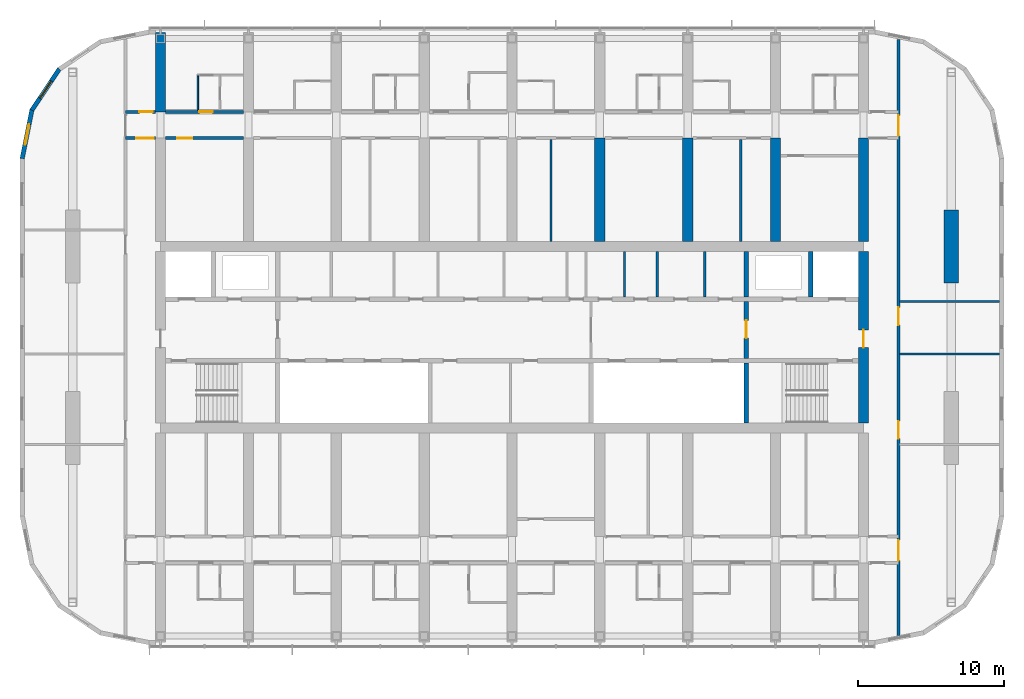
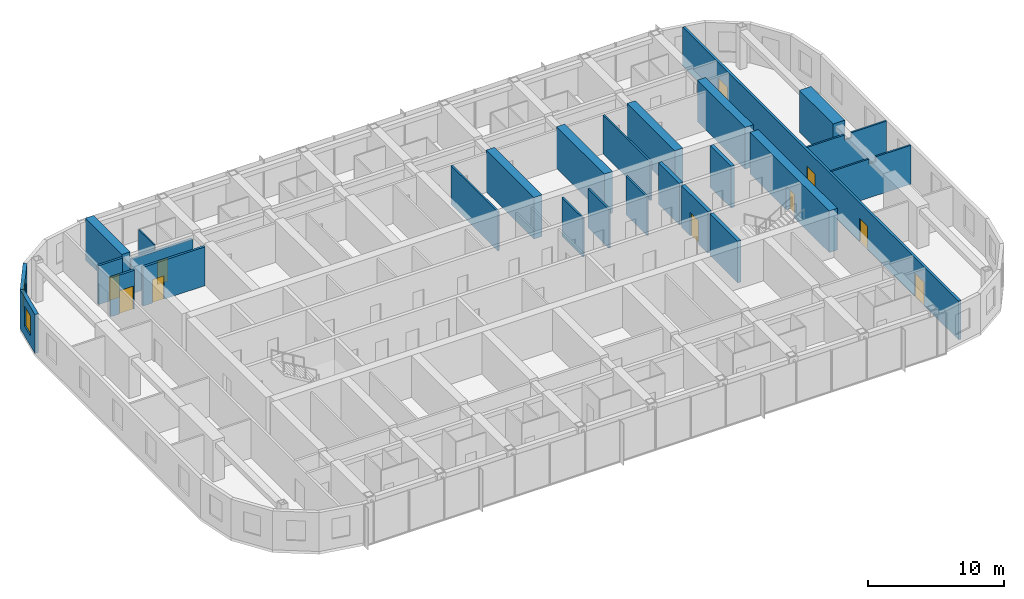
# One storey, part 15 of 23: 26 walls, 10 doors, 2 windows, 12 openings.
"""IFC4 building model written with IfcOpenShell, lengths in metres."""

from ifc_helpers import new_model, si_unit, direction, frame, frame_2d, origin, place, context, subcontext, project, spatial, polyline, rectangle, outline, extrude, material, layer, layer_set, type_object, element, fill, save


model = new_model("IFC4")

# Units and contexts
model_context = context("Model", 3, precision=1e-05, world=origin(), true_north=direction((0.0, 1.0)))
body_context = subcontext(model_context, "Body", "Model", "MODEL_VIEW")
ifc_project = project(units=[si_unit("LENGTHUNIT", "METRE"), si_unit("AREAUNIT", "SQUARE_METRE"), si_unit("VOLUMEUNIT", "CUBIC_METRE"), si_unit("PLANEANGLEUNIT", "RADIAN"), si_unit("MASSUNIT", "GRAM", prefix="KILO")], contexts=[model_context])

# Site, building, storey
site_placement = place(None, origin())
site = spatial("IfcSite", under=ifc_project, at=site_placement, CompositionType="ELEMENT")
building_placement = place(site_placement, origin())
building = spatial("IfcBuilding", under=site, at=building_placement, Name="Orbita Commons", CompositionType="ELEMENT")
storey_placement = place(building_placement, frame((0.0, 0.0, 224.050048828125)))
storey = spatial("IfcBuildingStorey", under=building, at=storey_placement, Name="L55", CompositionType="ELEMENT", Elevation=224.050048828125)

# Wall
ifc_material_1 = material(Name="Concrete C50/60", Category="concrete")
ifc_layer_1 = layer(ifc_material_1, 0.300048828125)
ifc_layer_set_1 = layer_set([ifc_layer_1], Name="Concrete C50/60")
wall_type_1 = type_object("IfcWallType", Name="Core inner wall 300 C50/60", PredefinedType="SHEAR", material=ifc_layer_set_1)
wall_1_placement = place(storey_placement, frame((58.0, 26.14990234375, 0.0), z_axis=(0.0, 0.0, 1.0), x_axis=(0.0, 1.0, 0.0)))
element("IfcWall", 1, at=wall_1_placement, inside=storey, type_object=wall_type_1, Name="Stair S2 wall L55", PredefinedType="SHEAR", context=body_context, shape_type="SweptSolid", body=[
    extrude(rectangle(XDim=4.10009765625, YDim=0.300048828125, at=frame_2d((2.050048828125, 0.0))), origin(), (0.0, 0.0, 1.0), 3.75),
])

# Wall, opening, door
wall_2_placement = place(storey_placement, frame((58.0, 30.550048828125, 0.0), z_axis=(0.0, 0.0, 1.0), x_axis=(0.0, 1.0, 0.0)))
wall_2 = element("IfcWall", 2, at=wall_2_placement, inside=storey, type_object=wall_type_1, Name="Firefighting lobby wall east L55", PredefinedType="SHEAR", context=body_context, shape_type="SweptSolid", body=[
    extrude(rectangle(XDim=3.89990234375, YDim=0.300048828125, at=frame_2d((1.949951171875, 0.0))), origin(), (0.0, 0.0, 1.0), 3.75),
])
opening_1_placement = place(wall_2_placement, frame((1.39990234375, 0.0, 0.0)))
opening_1 = element("IfcOpeningElement", 3, at=opening_1_placement, cuts=wall_2, Name="Opening D04", PredefinedType="OPENING", context=body_context, shape_type="SweptSolid", body=[
    extrude(rectangle(XDim=1.199951171875, YDim=2.10009765625, at=frame_2d((0.60009765625, 1.050048828125))), frame((0.0, 0.159912109375, 0.0), z_axis=(0.0, -1.0, 0.0), x_axis=(1.0, 0.0, 0.0)), (0.0, 0.0, 1.0), 0.320068359375),
])
ifc_material_2 = material(Name="Steel-faced fire door leaf", Category="steel")
door_type_1 = type_object("IfcDoorType", Name="Service door 20 min 1200x2100", OperationType="SINGLE_SWING_LEFT", PredefinedType="DOOR", material=ifc_material_2)
door_1_placement = place(opening_1_placement, origin())
door_1 = element("IfcDoor", 4, at=door_1_placement, inside=storey, type_object=door_type_1, Name="Lift lobby door east", OperationType="SINGLE_SWING_LEFT", OverallHeight=2.10009765625, OverallWidth=1.199951171875, PredefinedType="DOOR", context=body_context, shape_type="SweptSolid", body=[
    extrude(rectangle(XDim=1.199951171875, YDim=2.10009765625, at=frame_2d((0.60009765625, 1.050048828125))), frame((0.0, 0.02490234375, 0.0), z_axis=(0.0, -1.0, 0.0), x_axis=(1.0, 0.0, 0.0)), (0.0, 0.0, 1.0), 0.050048828125),
])
fill(opening_1, door_1)

# Walls
for number, where, z_axis, x_axis, name in (
    (5, (62.39990234375, 34.75, 0.0), (0.0, 0.0, 1.0), (0.0, 1.0, 0.0), "Firefighting lift FL2 shaft wall L55"),
    (6, (58.0, 34.75, 0.0), (0.0, 0.0, 1.0), (0.0, 1.0, 0.0), "Riser wall east L55"),
):
    element("IfcWall", number, at=place(storey_placement, frame(where, z_axis=z_axis, x_axis=x_axis)), inside=storey, type_object=wall_type_1, Name=name, PredefinedType="SHEAR", context=body_context, shape_type="SweptSolid", body=[
        extrude(rectangle(XDim=3.10009765625, YDim=0.300048828125, at=frame_2d((1.550048828125, 0.0))), origin(), (0.0, 0.0, 1.0), 3.75),
    ])
ifc_material_3 = material(Name="Concrete blockwork", Category="masonry")
ifc_layer_2 = layer(ifc_material_3, 0.14990234375)
ifc_layer_set_2 = layer_set([ifc_layer_2], Name="Concrete blockwork")
wall_type_2 = type_object("IfcWallType", Name="Core partition 150 blockwork", PredefinedType="SOLIDWALL", material=ifc_layer_set_2)
for number, where, z_axis, x_axis, name in (
    (7, (49.6923828125, 34.75, 0.0), (0.0, 0.0, 1.0), (0.0, 1.0, 0.0), "Core partition 150 blockwork L55"),
    (8, (51.92138671875, 34.75, 0.0), (0.0, 0.0, 1.0), (0.0, 1.0, 0.0), "Core partition 150 blockwork L55"),
    (9, (55.163330078125, 34.75, 0.0), (0.0, 0.0, 1.0), (0.0, 1.0, 0.0), "Core partition 150 blockwork L55"),
):
    element("IfcWall", number, at=place(storey_placement, frame(where, z_axis=z_axis, x_axis=x_axis)), inside=storey, type_object=wall_type_2, Name=name, PredefinedType="SOLIDWALL", context=body_context, shape_type="SweptSolid", body=[
        extrude(rectangle(XDim=3.10009765625, YDim=0.14990234375, at=frame_2d((1.550048828125, 0.0))), origin(), (0.0, 0.0, 1.0), 3.5),
    ])

# Wall, opening, door
ifc_material_4 = material(Name="Concrete C50/60", Category="concrete")
ifc_layer_3 = layer(ifc_material_4, 0.699951171875)
ifc_layer_set_3 = layer_set([ifc_layer_3], Name="Concrete C50/60")
wall_type_3 = type_object("IfcWallType", Name="Core wall 700 C50/60", PredefinedType="SHEAR", material=ifc_layer_set_3)
wall_3_placement = place(storey_placement, frame((66.0, 26.14990234375, 0.0), z_axis=(0.0, 0.0, 1.0), x_axis=(0.0, 1.0, 0.0)))
wall_3 = element("IfcWall", 10, at=wall_3_placement, inside=storey, type_object=wall_type_3, Name="Core end wall east L55", PredefinedType="SHEAR", context=body_context, shape_type="SweptSolid", body=[
    extrude(rectangle(XDim=11.7001953125, YDim=0.699951171875, at=frame_2d((5.85009765625, 0.0))), origin(), (0.0, 0.0, 1.0), 3.75),
])
opening_2_placement = place(wall_3_placement, frame((5.14990234375, 0.0, 0.0)))
opening_2 = element("IfcOpeningElement", 11, at=opening_2_placement, cuts=wall_3, Name="Opening D01", PredefinedType="OPENING", context=body_context, shape_type="SweptSolid", body=[
    extrude(rectangle(XDim=1.199951171875, YDim=2.10009765625, at=frame_2d((0.60009765625, 1.050048828125))), frame((0.0, 0.35986328125, 0.0), z_axis=(0.0, -1.0, 0.0), x_axis=(1.0, 0.0, 0.0)), (0.0, 0.0, 1.0), 0.719970703125),
])
ifc_material_5 = material(Name="Steel-faced fire door leaf", Category="steel")
door_type_2 = type_object("IfcDoorType", Name="Fire door 90 min 1200x2100", OperationType="SINGLE_SWING_LEFT", PredefinedType="DOOR", material=ifc_material_5)
door_2_placement = place(opening_2_placement, origin())
door_2 = element("IfcDoor", 12, at=door_2_placement, inside=storey, type_object=door_type_2, Name="Firefighting lobby east door", OperationType="SINGLE_SWING_LEFT", OverallHeight=2.10009765625, OverallWidth=1.199951171875, PredefinedType="DOOR", context=body_context, shape_type="SweptSolid", body=[
    extrude(rectangle(XDim=1.199951171875, YDim=2.10009765625, at=frame_2d((0.60009765625, 1.050048828125))), frame((0.0, 0.02490234375, 0.0), z_axis=(0.0, -1.0, 0.0), x_axis=(1.0, 0.0, 0.0)), (0.0, 0.0, 1.0), 0.050048828125),
])
fill(opening_2, door_2)

ifc_material_6 = material(Name="Concrete blockwork", Category="masonry")
ifc_layer_4 = layer(ifc_material_6, 0.199951171875)
ifc_layer_set_4 = layer_set([ifc_layer_4], Name="Concrete blockwork")
wall_type_4 = type_object("IfcWallType", Name="Corridor wall 200 blockwork", PredefinedType="SOLIDWALL", material=ifc_layer_set_4)
wall_4_placement = place(storey_placement, frame((15.60009765625, 47.39990234375, 0.0), z_axis=(0.0, 0.0, 1.0), x_axis=(1.0, 0.0, 0.0)))
wall_4 = element("IfcWall", 13, at=wall_4_placement, inside=storey, type_object=wall_type_4, Name="Corridor wall 200 blockwork L55", PredefinedType="SOLIDWALL", context=body_context, shape_type="SweptSolid", body=[
    extrude(rectangle(XDim=2.0498046875, YDim=0.199951171875, at=frame_2d((1.02490234375, 0.0))), origin(), (0.0, 0.0, 1.0), 3.5),
])
opening_3_placement = place(wall_4_placement, frame((0.949951171875, 0.0, 0.0)))
opening_3 = element("IfcOpeningElement", 14, at=opening_3_placement, cuts=wall_4, Name="Opening D05", PredefinedType="OPENING", context=body_context, shape_type="SweptSolid", body=[
    extrude(rectangle(XDim=0.89990234375, YDim=2.10009765625, at=frame_2d((0.449951171875, 1.050048828125))), frame((0.0, 0.10986328125, 0.0), z_axis=(0.0, -1.0, 0.0), x_axis=(1.0, 0.0, 0.0)), (0.0, 0.0, 1.0), 0.219970703125),
])
ifc_material_7 = material(Name="Steel-faced fire door leaf", Category="steel")
door_type_3 = type_object("IfcDoorType", Name="Service door 20 min 900x2100", OperationType="SINGLE_SWING_LEFT", PredefinedType="DOOR", material=ifc_material_7)
door_3_placement = place(opening_3_placement, origin())
door_3 = element("IfcDoor", 15, at=door_3_placement, inside=storey, type_object=door_type_3, Name="Linen store L55-KWN door", OperationType="SINGLE_SWING_LEFT", OverallHeight=2.10009765625, OverallWidth=0.89990234375, PredefinedType="DOOR", context=body_context, shape_type="SweptSolid", body=[
    extrude(rectangle(XDim=0.89990234375, YDim=2.10009765625, at=frame_2d((0.449951171875, 1.050048828125))), frame((0.0, 0.02490234375, 0.0), z_axis=(0.0, -1.0, 0.0), x_axis=(1.0, 0.0, 0.0)), (0.0, 0.0, 1.0), 0.050048828125),
])
fill(opening_3, door_3)

wall_5_placement = place(storey_placement, frame((18.35009765625, 47.39990234375, 0.0), z_axis=(0.0, 0.0, 1.0), x_axis=(1.0, 0.0, 0.0)))
wall_5 = element("IfcWall", 16, at=wall_5_placement, inside=storey, type_object=wall_type_4, Name="Corridor wall 200 blockwork L55", PredefinedType="SOLIDWALL", context=body_context, shape_type="SweptSolid", body=[
    extrude(outline(polyline([(0.0, 0.0), (5.2998046875, 0.0), (5.300048828125, 3.099853515625), (0.0, 3.099853515625), (0.0, 0.0)])), frame((0.0, 0.10009765625, 0.0), z_axis=(0.0, -1.0, 0.0), x_axis=(1.0, 0.0, 0.0)), (0.0, 0.0, 1.0), 0.199951171875),
])
opening_4_placement = place(wall_5_placement, frame((2.300048828125, 0.0, 0.0)))
opening_4 = element("IfcOpeningElement", 17, at=opening_4_placement, cuts=wall_5, Name="Opening D11", PredefinedType="OPENING", context=body_context, shape_type="SweptSolid", body=[
    extrude(rectangle(XDim=0.89990234375, YDim=2.10009765625, at=frame_2d((0.449951171875, 1.050048828125))), frame((0.0, 0.10986328125, 0.0), z_axis=(0.0, -1.0, 0.0), x_axis=(1.0, 0.0, 0.0)), (0.0, 0.0, 1.0), 0.219970703125),
])
ifc_material_8 = material(Name="Steel-faced fire door leaf", Category="steel")
door_type_4 = type_object("IfcDoorType", Name="Corridor door 20 min 900x2100", OperationType="SINGLE_SWING_LEFT", PredefinedType="DOOR", material=ifc_material_8)
door_4_placement = place(opening_4_placement, origin())
door_4 = element("IfcDoor", 18, at=door_4_placement, inside=storey, type_object=door_type_4, Name="Studio flat L55-N00 entrance door", OperationType="SINGLE_SWING_LEFT", OverallHeight=2.10009765625, OverallWidth=0.89990234375, PredefinedType="DOOR", context=body_context, shape_type="SweptSolid", body=[
    extrude(rectangle(XDim=0.89990234375, YDim=2.10009765625, at=frame_2d((0.449951171875, 1.050048828125))), frame((0.0, 0.02490234375, 0.0), z_axis=(0.0, -1.0, 0.0), x_axis=(1.0, 0.0, 0.0)), (0.0, 0.0, 1.0), 0.050048828125),
])
fill(opening_4, door_4)

# Wall, openings, doors
wall_6_placement = place(storey_placement, frame((68.39990234375, 11.646240234375, 0.0), z_axis=(0.0, 0.0, 1.0), x_axis=(0.0, 1.0, 0.0)))
wall_6 = element("IfcWall", 19, at=wall_6_placement, inside=storey, type_object=wall_type_4, Name="Corridor wall 200 blockwork L55", PredefinedType="SOLIDWALL", context=body_context, shape_type="SweptSolid", body=[
    extrude(rectangle(XDim=40.70751953125, YDim=0.199951171875, at=frame_2d((20.353759765625, 0.0))), origin(), (0.0, 0.0, 1.0), 3.5),
])
opening_5_placement = place(wall_6_placement, frame((13.433837890625, 0.0, 0.0)))
opening_5 = element("IfcOpeningElement", 20, at=opening_5_placement, cuts=wall_6, Name="Opening D15", PredefinedType="OPENING", context=body_context, shape_type="SweptSolid", body=[
    extrude(rectangle(XDim=1.199951171875, YDim=2.10009765625, at=frame_2d((0.60009765625, 1.050048828125))), frame((0.0, 0.10986328125, 0.0), z_axis=(0.0, -1.0, 0.0), x_axis=(1.0, 0.0, 0.0)), (0.0, 0.0, 1.0), 0.219970703125),
])
opening_6_placement = place(wall_6_placement, frame((21.19384765625, 0.0, 0.0)))
opening_6 = element("IfcOpeningElement", 21, at=opening_6_placement, cuts=wall_6, Name="Opening D15", PredefinedType="OPENING", context=body_context, shape_type="SweptSolid", body=[
    extrude(rectangle(XDim=1.199951171875, YDim=2.10009765625, at=frame_2d((0.60009765625, 1.050048828125))), frame((0.0, 0.10986328125, 0.0), z_axis=(0.0, -1.0, 0.0), x_axis=(1.0, 0.0, 0.0)), (0.0, 0.0, 1.0), 0.219970703125),
])
opening_7_placement = place(wall_6_placement, frame((5.103759765625, 0.0, 0.0)))
opening_7 = element("IfcOpeningElement", 22, at=opening_7_placement, cuts=wall_6, Name="Opening D08", PredefinedType="OPENING", context=body_context, shape_type="SweptSolid", body=[
    extrude(rectangle(XDim=1.39990234375, YDim=2.10009765625, at=frame_2d((0.699951171875, 1.050048828125))), frame((0.0, 0.10986328125, 0.0), z_axis=(0.0, -1.0, 0.0), x_axis=(1.0, 0.0, 0.0)), (0.0, 0.0, 1.0), 0.219970703125),
])
opening_8_placement = place(wall_6_placement, frame((34.103759765625, 0.0, 0.0)))
opening_8 = element("IfcOpeningElement", 23, at=opening_8_placement, cuts=wall_6, Name="Opening D08", PredefinedType="OPENING", context=body_context, shape_type="SweptSolid", body=[
    extrude(rectangle(XDim=1.39990234375, YDim=2.10009765625, at=frame_2d((0.699951171875, 1.050048828125))), frame((0.0, 0.10986328125, 0.0), z_axis=(0.0, -1.0, 0.0), x_axis=(1.0, 0.0, 0.0)), (0.0, 0.0, 1.0), 0.219970703125),
])
ifc_material_9 = material(Name="Steel-faced fire door leaf", Category="steel")
door_type_5 = type_object("IfcDoorType", Name="Corridor door 20 min 1200x2100", OperationType="SINGLE_SWING_LEFT", PredefinedType="DOOR", material=ifc_material_9)
door_5_placement = place(opening_5_placement, origin())
door_5 = element("IfcDoor", 24, at=door_5_placement, inside=storey, type_object=door_type_5, Name="Floor kitchen door", OperationType="SINGLE_SWING_LEFT", OverallHeight=2.10009765625, OverallWidth=1.199951171875, PredefinedType="DOOR", context=body_context, shape_type="SweptSolid", body=[
    extrude(rectangle(XDim=1.199951171875, YDim=2.10009765625, at=frame_2d((0.60009765625, 1.050048828125))), frame((0.0, 0.02490234375, 0.0), z_axis=(0.0, -1.0, 0.0), x_axis=(1.0, 0.0, 0.0)), (0.0, 0.0, 1.0), 0.050048828125),
])
fill(opening_5, door_5)
door_6_placement = place(opening_6_placement, origin())
door_6 = element("IfcDoor", 25, at=door_6_placement, inside=storey, type_object=door_type_5, Name="Study commons door", OperationType="SINGLE_SWING_LEFT", OverallHeight=2.10009765625, OverallWidth=1.199951171875, PredefinedType="DOOR", context=body_context, shape_type="SweptSolid", body=[
    extrude(rectangle(XDim=1.199951171875, YDim=2.10009765625, at=frame_2d((0.60009765625, 1.050048828125))), frame((0.0, 0.02490234375, 0.0), z_axis=(0.0, -1.0, 0.0), x_axis=(1.0, 0.0, 0.0)), (0.0, 0.0, 1.0), 0.050048828125),
])
fill(opening_6, door_6)
ifc_material_10 = material(Name="Steel-faced fire door leaf", Category="steel")
door_type_6 = type_object("IfcDoorType", Name="Double corridor door 20 min 1400x2100", OperationType="DOUBLE_DOOR_SINGLE_SWING", PredefinedType="DOOR", material=ifc_material_10)
door_7_placement = place(opening_7_placement, origin())
door_7 = element("IfcDoor", 26, at=door_7_placement, inside=storey, type_object=door_type_6, Name="Lounge doors", OperationType="DOUBLE_DOOR_SINGLE_SWING", OverallHeight=2.10009765625, OverallWidth=1.39990234375, PredefinedType="DOOR", context=body_context, shape_type="SweptSolid", body=[
    extrude(rectangle(XDim=1.39990234375, YDim=2.10009765625, at=frame_2d((0.699951171875, 1.050048828125))), frame((0.0, 0.02490234375, 0.0), z_axis=(0.0, -1.0, 0.0), x_axis=(1.0, 0.0, 0.0)), (0.0, 0.0, 1.0), 0.050048828125),
])
fill(opening_7, door_7)
door_8_placement = place(opening_8_placement, origin())
door_8 = element("IfcDoor", 27, at=door_8_placement, inside=storey, type_object=door_type_6, Name="Lounge doors", OperationType="DOUBLE_DOOR_SINGLE_SWING", OverallHeight=2.10009765625, OverallWidth=1.39990234375, PredefinedType="DOOR", context=body_context, shape_type="SweptSolid", body=[
    extrude(rectangle(XDim=1.39990234375, YDim=2.10009765625, at=frame_2d((0.699951171875, 1.050048828125))), frame((0.0, 0.02490234375, 0.0), z_axis=(0.0, -1.0, 0.0), x_axis=(1.0, 0.0, 0.0)), (0.0, 0.0, 1.0), 0.050048828125),
])
fill(opening_8, door_8)

# Wall, opening, door
ifc_material_11 = material(Name="Hollow concrete block 200", Category="concrete")
ifc_layer_5 = layer(ifc_material_11, 0.199951171875)
ifc_layer_set_5 = layer_set([ifc_layer_5], Name="Hollow concrete block 200")
wall_type_5 = type_object("IfcWallType", Name="Corridor wall 200 hollow concrete block", PredefinedType="SOLIDWALL", material=ifc_layer_set_5)
wall_7_placement = place(storey_placement, frame((15.60009765625, 45.60009765625, 0.0), z_axis=(0.0, 0.0, 1.0), x_axis=(1.0, 0.0, 0.0)))
wall_7 = element("IfcWall", 28, at=wall_7_placement, inside=storey, type_object=wall_type_5, Name="Corridor wall 200 hollow concrete block L55", PredefinedType="SOLIDWALL", context=body_context, shape_type="SweptSolid", body=[
    extrude(rectangle(XDim=2.0498046875, YDim=0.199951171875, at=frame_2d((1.02490234375, 0.0))), origin(), (0.0, 0.0, 1.0), 3.5),
])
opening_9_placement = place(wall_7_placement, frame((0.75, 0.0, 0.0)))
opening_9 = element("IfcOpeningElement", 29, at=opening_9_placement, cuts=wall_7, Name="Opening D12", PredefinedType="OPENING", context=body_context, shape_type="SweptSolid", body=[
    extrude(rectangle(XDim=1.199951171875, YDim=2.10009765625, at=frame_2d((0.60009765625, 1.050048828125))), frame((0.0, 0.10986328125, 0.0), z_axis=(0.0, -1.0, 0.0), x_axis=(1.0, 0.0, 0.0)), (0.0, 0.0, 1.0), 0.219970703125),
])
ifc_material_12 = material(Name="Steel-faced fire door leaf", Category="steel")
door_type_7 = type_object("IfcDoorType", Name="Double corridor door 20 min 1200x2100", OperationType="DOUBLE_DOOR_SINGLE_SWING", PredefinedType="DOOR", material=ifc_material_12)
door_9_placement = place(opening_9_placement, origin())
door_9 = element("IfcDoor", 30, at=door_9_placement, inside=storey, type_object=door_type_7, Name="Cross corridor doors", OperationType="DOUBLE_DOOR_SINGLE_SWING", OverallHeight=2.10009765625, OverallWidth=1.199951171875, PredefinedType="DOOR", context=body_context, shape_type="SweptSolid", body=[
    extrude(rectangle(XDim=1.199951171875, YDim=2.10009765625, at=frame_2d((0.60009765625, 1.050048828125))), frame((0.0, 0.02490234375, 0.0), z_axis=(0.0, -1.0, 0.0), x_axis=(1.0, 0.0, 0.0)), (0.0, 0.0, 1.0), 0.050048828125),
])
fill(opening_9, door_9)

wall_8_placement = place(storey_placement, frame((18.35009765625, 45.60009765625, 0.0), z_axis=(0.0, 0.0, 1.0), x_axis=(1.0, 0.0, 0.0)))
wall_8 = element("IfcWall", 31, at=wall_8_placement, inside=storey, type_object=wall_type_5, Name="Corridor wall 200 hollow concrete block L55", PredefinedType="SOLIDWALL", context=body_context, shape_type="SweptSolid", body=[
    extrude(rectangle(XDim=5.2998046875, YDim=0.199951171875, at=frame_2d((2.64990234375, 0.0))), origin(), (0.0, 0.0, 1.0), 3.5),
])
opening_10_placement = place(wall_8_placement, frame((0.800048828125, 0.0, 0.0)))
opening_10 = element("IfcOpeningElement", 32, at=opening_10_placement, cuts=wall_8, Name="Opening D06", PredefinedType="OPENING", context=body_context, shape_type="SweptSolid", body=[
    extrude(rectangle(XDim=1.0, YDim=2.10009765625, at=frame_2d((0.5, 1.050048828125))), frame((0.0, 0.10986328125, 0.0), z_axis=(0.0, -1.0, 0.0), x_axis=(1.0, 0.0, 0.0)), (0.0, 0.0, 1.0), 0.219970703125),
])
ifc_material_13 = material(Name="Steel-faced fire door leaf", Category="steel")
door_type_8 = type_object("IfcDoorType", Name="Corridor door 20 min 1000x2100", OperationType="SINGLE_SWING_LEFT", PredefinedType="DOOR", material=ifc_material_13)
door_10_placement = place(opening_10_placement, origin())
door_10 = element("IfcDoor", 33, at=door_10_placement, inside=storey, type_object=door_type_8, Name="Faculty pantry L55-BDN18 door", OperationType="SINGLE_SWING_LEFT", OverallHeight=2.10009765625, OverallWidth=1.0, PredefinedType="DOOR", context=body_context, shape_type="SweptSolid", body=[
    extrude(rectangle(XDim=1.0, YDim=2.10009765625, at=frame_2d((0.5, 1.050048828125))), frame((0.0, 0.02490234375, 0.0), z_axis=(0.0, -1.0, 0.0), x_axis=(1.0, 0.0, 0.0)), (0.0, 0.0, 1.0), 0.050048828125),
])
fill(opening_10, door_10)

# Walls
ifc_material_14 = material(Name="Concrete C50/60", Category="concrete")
ifc_layer_6 = layer(ifc_material_14, 0.699951171875)
ifc_layer_set_6 = layer_set([ifc_layer_6], Name="Concrete C50/60")
wall_type_6 = type_object("IfcWallType", Name="Cross wall 700 C50/60", PredefinedType="SHEAR", material=ifc_layer_set_6)
wall_9_placement = place(storey_placement, frame((18.0, 47.39990234375, 0.0), z_axis=(0.0, 0.0, 1.0), x_axis=(0.0, 1.0, 0.0)))
element("IfcWall", 34, at=wall_9_placement, inside=storey, type_object=wall_type_6, Name="Cross wall 4 north outer L55", PredefinedType="SHEAR", context=body_context, shape_type="SweptSolid", body=[
    extrude(rectangle(XDim=5.400146484375, YDim=0.699951171875, at=frame_2d((2.7001953125, 0.0))), origin(), (0.0, 0.0, 1.0), 3.75),
])
for number, where, z_axis, x_axis, name in (
    (35, (48.0, 38.550048828125, 0.0), (0.0, 0.0, 1.0), (0.0, 1.0, 0.0), "Cross wall 9 north inner L55"),
    (36, (54.0, 38.550048828125, 0.0), (0.0, 0.0, 1.0), (0.0, 1.0, 0.0), "Cross wall 10 north inner L55"),
    (37, (60.0, 38.550048828125, 0.0), (0.0, 0.0, 1.0), (0.0, 1.0, 0.0), "Cross wall 11 north inner L55"),
    (38, (66.0, 38.550048828125, 0.0), (0.0, 0.0, 1.0), (0.0, 1.0, 0.0), "Cross wall 12 north inner L55"),
):
    element("IfcWall", number, at=place(storey_placement, frame(where, z_axis=z_axis, x_axis=x_axis)), inside=storey, type_object=wall_type_6, Name=name, PredefinedType="SHEAR", context=body_context, shape_type="SweptSolid", body=[
        extrude(rectangle(XDim=7.050048828125, YDim=0.699951171875, at=frame_2d((3.52490234375, 0.0))), origin(), (0.0, 0.0, 1.0), 3.75),
    ])
ifc_material_15 = material(Name="Moisture-resistant plasterboard on steel studs", Category="steel")
ifc_layer_7 = layer(ifc_material_15, 0.10009765625)
ifc_layer_set_7 = layer_set([ifc_layer_7], Name="Moisture-resistant plasterboard on steel studs")
wall_type_7 = type_object("IfcWallType", Name="En-suite partition 100", PredefinedType="PARTITIONING", material=ifc_layer_set_7)
wall_10_placement = place(storey_placement, frame((20.550048828125, 49.85009765625, 0.0), z_axis=(0.0, 0.0, 1.0), x_axis=(0.0, -1.0, 0.0)))
element("IfcWall", 39, at=wall_10_placement, inside=storey, type_object=wall_type_7, Name="En-suite partition 100 L55", PredefinedType="PARTITIONING", context=body_context, shape_type="SweptSolid", body=[
    extrude(outline(polyline([(0.0, 0.0), (2.35009765625, 0.0), (2.35009765625, 3.099853515625), (2.302001953125, 3.099853515625), (2.300048828125, 3.5), (0.0, 3.5), (0.0, 0.0)])), frame((0.0, 0.050048828125, 0.0), z_axis=(0.0, -1.0, 0.0), x_axis=(1.0, 0.0, 0.0)), (0.0, 0.0, 1.0), 0.10009765625),
])
ifc_material_16 = material(Name="Concrete C50/60", Category="concrete")
ifc_layer_8 = layer(ifc_material_16, 1.0)
ifc_layer_set_8 = layer_set([ifc_layer_8], Name="Concrete C50/60")
wall_type_8 = type_object("IfcWallType", Name="End pier 1000x5000 C50/60", PredefinedType="SHEAR", material=ifc_layer_set_8)
wall_11_placement = place(storey_placement, frame((72.0, 35.699951171875, 0.0), z_axis=(0.0, 0.0, 1.0), x_axis=(0.0, 1.0, 0.0)))
element("IfcWall", 40, at=wall_11_placement, inside=storey, type_object=wall_type_8, Name="End pier 13/D L55", PredefinedType="SHEAR", context=body_context, shape_type="SweptSolid", body=[
    extrude(rectangle(XDim=5.0, YDim=1.0, at=frame_2d((2.5, 0.0))), origin(), (0.0, 0.0, 1.0), 3.75),
])
ifc_material_17 = material(Name="Gypsum plasterboard on steel studs", Category="steel")
ifc_layer_9 = layer(ifc_material_17, 0.14990234375)
ifc_layer_set_9 = layer_set([ifc_layer_9], Name="Gypsum plasterboard on steel studs")
wall_type_9 = type_object("IfcWallType", Name="Partition 150 plasterboard", PredefinedType="PARTITIONING", material=ifc_layer_set_9)
for number, where, z_axis, x_axis, name in (
    (41, (44.659912109375, 38.550048828125, 0.0), (0.0, 0.0, 1.0), (0.0, 1.0, 0.0), "Partition 150 plasterboard L55"),
    (42, (57.625, 38.550048828125, 0.0), (0.0, 0.0, 1.0), (0.0, 1.0, 0.0), "Partition 150 plasterboard L55"),
):
    element("IfcWall", number, at=place(storey_placement, frame(where, z_axis=z_axis, x_axis=x_axis)), inside=storey, type_object=wall_type_9, Name=name, PredefinedType="PARTITIONING", context=body_context, shape_type="SweptSolid", body=[
        extrude(rectangle(XDim=6.949951171875, YDim=0.14990234375, at=frame_2d((3.47509765625, 0.0))), origin(), (0.0, 0.0, 1.0), 3.5),
    ])
for number, where, z_axis, x_axis, name in (
    (43, (68.47509765625, 30.85009765625, 0.0), (0.0, 0.0, 1.0), (1.0, 0.0, 0.0), "Partition 150 plasterboard L55"),
    (44, (68.47509765625, 34.43994140625, 0.0), (0.0, 0.0, 1.0), (1.0, 0.0, 0.0), "Partition 150 plasterboard L55"),
):
    element("IfcWall", number, at=place(storey_placement, frame(where, z_axis=z_axis, x_axis=x_axis)), inside=storey, type_object=wall_type_9, Name=name, PredefinedType="PARTITIONING", context=body_context, shape_type="SweptSolid", body=[
        extrude(outline(polyline([(0.0, 0.0), (6.81982421875, 0.0), (6.820068359375, 3.5), (3.826904296875, 3.5), (3.824951171875, 3.050048828125), (3.22705078125, 3.050048828125), (3.22509765625, 3.5), (0.0, 3.5), (0.0, 0.0)])), frame((0.0, 0.074951171875, 0.0), z_axis=(0.0, -1.0, 0.0), x_axis=(1.0, 0.0, 0.0)), (0.0, 0.0, 1.0), 0.14990234375),
    ])

# Wall, opening, window
ifc_material_18 = material(Name="Precast concrete C40/50, white board-marked finish", Category="concrete")
ifc_layer_10 = layer(ifc_material_18, 0.300048828125)
ifc_layer_set_10 = layer_set([ifc_layer_10], Name="Precast concrete C40/50, white board-marked finish")
wall_type_10 = type_object("IfcWallType", Name="Precast concrete end shield 300", PredefinedType="SOLIDWALL", material=ifc_layer_set_10)
wall_12_placement = place(storey_placement, frame((11.08349609375, 50.31640625, 0.0), z_axis=(0.0, 0.0, 1.0), x_axis=(-0.555567969291, -0.831471124873, 0.0)))
wall_12 = element("IfcWall", 45, at=wall_12_placement, inside=storey, type_object=wall_type_10, Name="End shield NW chord 3 L55", PredefinedType="SOLIDWALL", context=body_context, shape_type="SweptSolid", body=[
    extrude(outline(polyline([(-0.02978515625, -0.14990234375), (3.40478515625, -0.14990234375), (3.34521484375, 0.14990234375), (0.02978515625, 0.14990234375), (-0.02978515625, -0.14990234375)])), origin(), (0.0, 0.0, 1.0), 3.5),
])
opening_11_placement = place(wall_12_placement, frame((0.987548828125, 0.0, 0.89990234375)))
opening_11 = element("IfcOpeningElement", 46, at=opening_11_placement, cuts=wall_12, Name="Opening W02", PredefinedType="OPENING", context=body_context, shape_type="SweptSolid", body=[
    extrude(rectangle(XDim=1.39990234375, YDim=1.800048828125, at=frame_2d((0.699951171875, 0.89990234375))), frame((0.0, 0.159912109375, 0.0), z_axis=(0.0, -1.0, 0.0), x_axis=(1.0, 0.0, 0.0)), (0.0, 0.0, 1.0), 0.320068359375),
])
ifc_material_19 = material(Name="Aluminium frame, clear double glazing", Category="aluminium")
window_type = type_object("IfcWindowType", Name="Deep-set window 1400x1800", PartitioningType="SINGLE_PANEL", PredefinedType="WINDOW", material=ifc_material_19)
window_1_placement = place(opening_11_placement, origin())
window_1 = element("IfcWindow", 47, at=window_1_placement, inside=storey, type_object=window_type, Name="Window L55-NW2", OverallHeight=1.800048828125, OverallWidth=1.39990234375, PartitioningType="SINGLE_PANEL", PredefinedType="WINDOW", context=body_context, shape_type="SweptSolid", body=[
    extrude(rectangle(XDim=1.39990234375, YDim=1.800048828125, at=frame_2d((0.699951171875, 0.89990234375))), frame((0.0, 0.030029296875, 0.0), z_axis=(0.0, -1.0, 0.0), x_axis=(1.0, 0.0, 0.0)), (0.0, 0.0, 1.0), 0.06005859375),
])
fill(opening_11, window_1)

wall_13_placement = place(storey_placement, frame((9.20849609375, 47.51025390625, 0.0), z_axis=(0.0, 0.0, 1.0), x_axis=(-0.19508664885, -0.980786011034, 0.0)))
wall_13 = element("IfcWall", 48, at=wall_13_placement, inside=storey, type_object=wall_type_10, Name="End shield NW chord 4 L55", PredefinedType="SOLIDWALL", context=body_context, shape_type="SweptSolid", body=[
    extrude(outline(polyline([(-0.02978515625, -0.14990234375), (3.39013671875, -0.14990234375), (3.3603515625, 0.14990234375), (0.02978515625, 0.14990234375), (-0.02978515625, -0.14990234375)])), origin(), (0.0, 0.0, 1.0), 3.5),
])
opening_12_placement = place(wall_13_placement, frame((0.987548828125, 0.0, 0.89990234375)))
opening_12 = element("IfcOpeningElement", 49, at=opening_12_placement, cuts=wall_13, Name="Opening W02", PredefinedType="OPENING", context=body_context, shape_type="SweptSolid", body=[
    extrude(rectangle(XDim=1.39990234375, YDim=1.800048828125, at=frame_2d((0.699951171875, 0.89990234375))), frame((0.0, 0.159912109375, 0.0), z_axis=(0.0, -1.0, 0.0), x_axis=(1.0, 0.0, 0.0)), (0.0, 0.0, 1.0), 0.320068359375),
])
window_2_placement = place(opening_12_placement, origin())
window_2 = element("IfcWindow", 50, at=window_2_placement, inside=storey, type_object=window_type, Name="Window L55-NW3", OverallHeight=1.800048828125, OverallWidth=1.39990234375, PartitioningType="SINGLE_PANEL", PredefinedType="WINDOW", context=body_context, shape_type="SweptSolid", body=[
    extrude(rectangle(XDim=1.39990234375, YDim=1.800048828125, at=frame_2d((0.699951171875, 0.89990234375))), frame((0.0, 0.030029296875, 0.0), z_axis=(0.0, -1.0, 0.0), x_axis=(1.0, 0.0, 0.0)), (0.0, 0.0, 1.0), 0.06005859375),
])
fill(opening_12, window_2)

save(model, "model.ifc")
